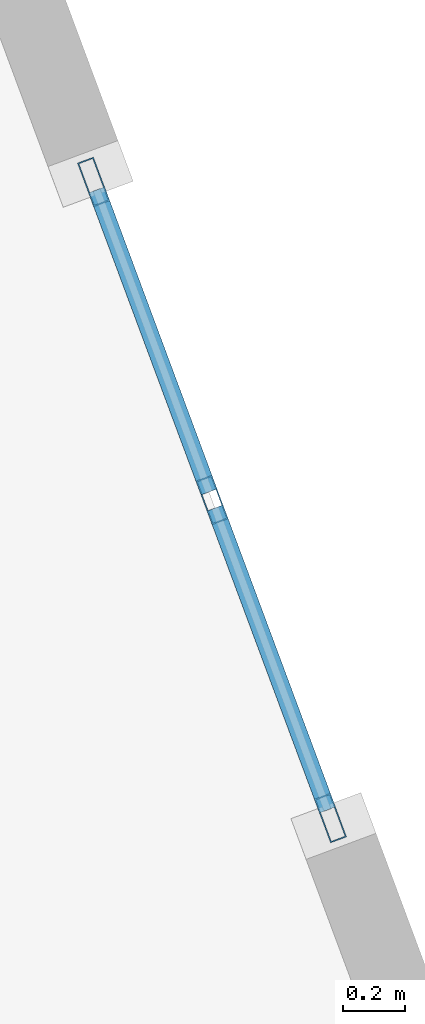
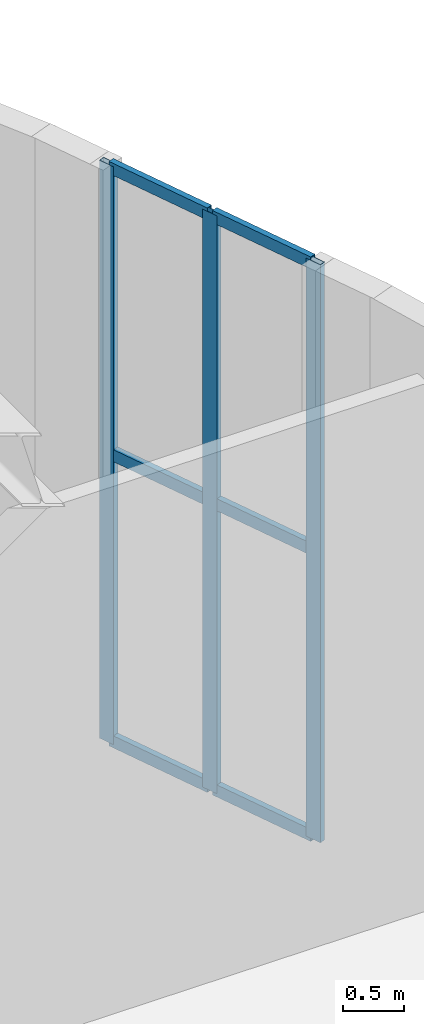
# One storey, part 6 of 11: 9 members, 1 element without a shape of its own.
"""IFC4 building model written with IfcOpenShell, lengths in metres."""

from ifc_helpers import new_model, si_unit, direction, frame, origin, origin_2d, place, context, subcontext, project, spatial, hollow_rectangle, extrude, material, layer, layer_set, material_profile, profile_set, type_object, element, aggregate, save


model = new_model("IFC4")

# Units and contexts
model_context = context("Model", 3, precision=1e-05, world=origin(), true_north=direction((0.0, 1.0)))
body_context = subcontext(model_context, "Body", "Model", "MODEL_VIEW")
ifc_project = project(units=[si_unit("LENGTHUNIT", "METRE"), si_unit("AREAUNIT", "SQUARE_METRE"), si_unit("VOLUMEUNIT", "CUBIC_METRE"), si_unit("PLANEANGLEUNIT", "RADIAN"), si_unit("MASSUNIT", "GRAM", prefix="KILO")], contexts=[model_context])

# Site, building, storey
site_placement = place(None, origin())
site = spatial("IfcSite", under=ifc_project, at=site_placement, CompositionType="ELEMENT")
building_placement = place(site_placement, origin())
building = spatial("IfcBuilding", under=site, at=building_placement, Name="Miruveldt Soraemaru", CompositionType="ELEMENT")
storey_placement = place(building_placement, frame((0.0, 0.0, 300.800048828125)))
storey = spatial("IfcBuildingStorey", under=building, at=storey_placement, Name="L80", CompositionType="ELEMENT", Elevation=300.800048828125)

# Curtain wall, members
ifc_material = material(Name="Anodised aluminium EN AW-6063 T6", Category="aluminium")
ifc_layer = layer(ifc_material, 0.14990234375, Name="Anodised aluminium EN AW-6063 T6", Category="aluminium")
ifc_layer_set = layer_set([ifc_layer], Name="Anodised aluminium EN AW-6063 T6")
curtain_wall_type = type_object("IfcCurtainWallType", Name="CW-SYS-6", PredefinedType="USERDEFINED", material=ifc_layer_set)
curtain_wall_placement = place(storey_placement, origin())
curtain_wall = element("IfcCurtainWall", 1, at=curtain_wall_placement, inside=storey, type_object=curtain_wall_type, Name="L80 Curtain Wall Bay 37", ObjectType="UNITISED GLAZING", PredefinedType="USERDEFINED")
ifc_material_profile_1 = material_profile(ifc_material, hollow_rectangle(XDim=0.054931640625, YDim=0.14990234375, WallThickness=0.00390625, at=origin_2d()), Name="Anodised aluminium EN AW-6063 T6", Category="aluminium")
ifc_profile_set_1 = profile_set([ifc_material_profile_1], Name="Anodised aluminium EN AW-6063 T6")
member_type_1 = type_object("IfcMemberType", Name="CWM-6", PredefinedType="MULLION", material=ifc_profile_set_1)
member_1_placement = place(storey_placement, frame((59.91455078125, 45.752685546875, 0.0), z_axis=(0.0, 0.0, 1.0), x_axis=(-0.937123363704, -0.348998282518, 0.0)))
member_1 = element("IfcMember", 2, at=member_1_placement, type_object=member_type_1, Name="CW-6 mullion 1", PredefinedType="MULLION", context=body_context, shape_type="SweptSolid", body=[
    extrude(hollow_rectangle(XDim=0.054931640625, YDim=0.14990234375, WallThickness=0.00390625, at=origin_2d()), origin(), (0.0, 0.0, 1.0), 5.739990234375),
])
member_2_placement = place(storey_placement, frame((59.533447265625, 46.776123046875, 0.0), z_axis=(0.0, 0.0, 1.0), x_axis=(-0.937123363704, -0.348998282518, 0.0)))
member_2 = element("IfcMember", 3, at=member_2_placement, type_object=member_type_1, Name="CW-6 mullion 2", PredefinedType="MULLION", context=body_context, shape_type="SweptSolid", body=[
    extrude(hollow_rectangle(XDim=0.054931640625, YDim=0.14990234375, WallThickness=0.00390625, at=origin_2d()), origin(), (0.0, 0.0, 1.0), 5.739990234375),
])
member_3_placement = place(storey_placement, frame((59.15234375, 47.79931640625, 0.0), z_axis=(0.0, 0.0, 1.0), x_axis=(-0.937123363704, -0.348998282518, 0.0)))
member_3 = element("IfcMember", 4, at=member_3_placement, type_object=member_type_1, Name="CW-6 mullion 3", PredefinedType="MULLION", context=body_context, shape_type="SweptSolid", body=[
    extrude(hollow_rectangle(XDim=0.054931640625, YDim=0.14990234375, WallThickness=0.00390625, at=origin_2d()), origin(), (0.0, 0.0, 1.0), 5.739990234375),
])
ifc_material_profile_2 = material_profile(ifc_material, hollow_rectangle(XDim=0.054931640625, YDim=0.1201171875, WallThickness=0.00390625, at=origin_2d()), Name="Anodised aluminium EN AW-6063 T6", Category="aluminium")
ifc_profile_set_2 = profile_set([ifc_material_profile_2], Name="Anodised aluminium EN AW-6063 T6")
member_type_2 = type_object("IfcMemberType", Name="CWT-6", PredefinedType="USERDEFINED", material=ifc_profile_set_2)
member_4_placement = place(storey_placement, frame((59.905029296875, 45.778564453125, 0.02734375), z_axis=(-0.348954958457, 0.93713949707, 0.0), x_axis=(-0.93713949707, -0.348954958457, 0.0)))
member_4 = element("IfcMember", 5, at=member_4_placement, type_object=member_type_2, Name="CW-6 transom 1.1", ObjectType="TRANSOM", PredefinedType="USERDEFINED", context=body_context, shape_type="SweptSolid", body=[
    extrude(hollow_rectangle(XDim=0.054931640625, YDim=0.1201171875, WallThickness=0.00390625, at=origin_2d()), origin(), (0.0, 0.0, 1.0), 1.036865234375),
])
member_5_placement = place(storey_placement, frame((59.905029296875, 45.778564453125, 2.869873046875), z_axis=(-0.348954958457, 0.93713949707, 0.0), x_axis=(-0.93713949707, -0.348954958457, 0.0)))
member_5 = element("IfcMember", 6, at=member_5_placement, type_object=member_type_2, Name="CW-6 transom 1.2", ObjectType="TRANSOM", PredefinedType="USERDEFINED", context=body_context, shape_type="SweptSolid", body=[
    extrude(hollow_rectangle(XDim=0.054931640625, YDim=0.1201171875, WallThickness=0.00390625, at=origin_2d()), origin(), (0.0, 0.0, 1.0), 1.036865234375),
])
member_6_placement = place(storey_placement, frame((59.905029296875, 45.778564453125, 5.71240234375), z_axis=(-0.348954958457, 0.93713949707, 0.0), x_axis=(-0.93713949707, -0.348954958457, 0.0)))
member_6 = element("IfcMember", 7, at=member_6_placement, type_object=member_type_2, Name="CW-6 transom 1.3", ObjectType="TRANSOM", PredefinedType="USERDEFINED", context=body_context, shape_type="SweptSolid", body=[
    extrude(hollow_rectangle(XDim=0.054931640625, YDim=0.1201171875, WallThickness=0.00390625, at=origin_2d()), origin(), (0.0, 0.0, 1.0), 1.036865234375),
])
member_7_placement = place(storey_placement, frame((59.52392578125, 46.8017578125, 0.02734375), z_axis=(-0.348877973547, 0.93716815971, 0.0), x_axis=(-0.93716815971, -0.348877973547, 0.0)))
member_7 = element("IfcMember", 8, at=member_7_placement, type_object=member_type_2, Name="CW-6 transom 2.1", ObjectType="TRANSOM", PredefinedType="USERDEFINED", context=body_context, shape_type="SweptSolid", body=[
    extrude(hollow_rectangle(XDim=0.054931640625, YDim=0.1201171875, WallThickness=0.00390625, at=origin_2d()), origin(), (0.0, 0.0, 1.0), 1.037109375),
])
member_8_placement = place(storey_placement, frame((59.52392578125, 46.8017578125, 2.869873046875), z_axis=(-0.348877973547, 0.93716815971, 0.0), x_axis=(-0.93716815971, -0.348877973547, 0.0)))
member_8 = element("IfcMember", 9, at=member_8_placement, type_object=member_type_2, Name="CW-6 transom 2.2", ObjectType="TRANSOM", PredefinedType="USERDEFINED", context=body_context, shape_type="SweptSolid", body=[
    extrude(hollow_rectangle(XDim=0.054931640625, YDim=0.1201171875, WallThickness=0.00390625, at=origin_2d()), origin(), (0.0, 0.0, 1.0), 1.037109375),
])
member_9_placement = place(storey_placement, frame((59.52392578125, 46.8017578125, 5.71240234375), z_axis=(-0.348877973547, 0.93716815971, 0.0), x_axis=(-0.93716815971, -0.348877973547, 0.0)))
member_9 = element("IfcMember", 10, at=member_9_placement, type_object=member_type_2, Name="CW-6 transom 2.3", ObjectType="TRANSOM", PredefinedType="USERDEFINED", context=body_context, shape_type="SweptSolid", body=[
    extrude(hollow_rectangle(XDim=0.054931640625, YDim=0.1201171875, WallThickness=0.00390625, at=origin_2d()), origin(), (0.0, 0.0, 1.0), 1.037109375),
])
aggregate(curtain_wall, [member_1, member_2, member_3, member_4, member_5, member_6, member_7, member_8, member_9])

save(model, "model.ifc")
